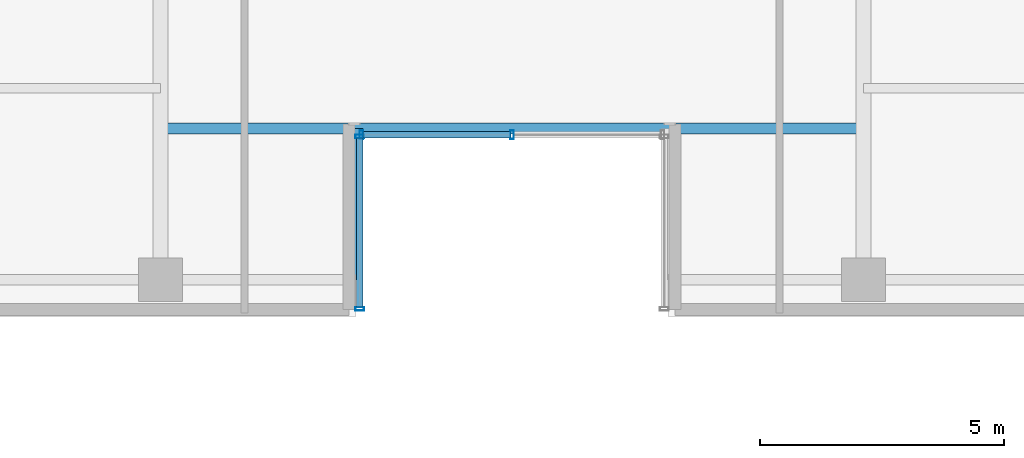
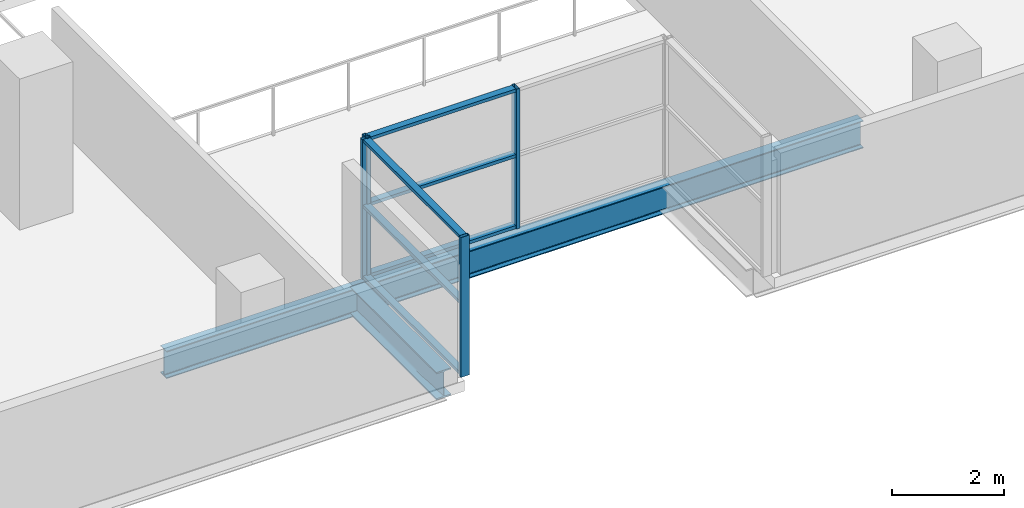
# One storey, part 3 of 31: 10 members, 2 beams, 2 elements without a shape of their own.
"""IFC4 building model written with IfcOpenShell, lengths in metres."""

from ifc_helpers import new_model, si_unit, direction, frame, origin, origin_2d, place, context, subcontext, project, spatial, hollow_rectangle, i_section, extrude, source, transform, mapped, material, layer, layer_set, material_profile, profile_set, type_object, element, aggregate, save


model = new_model("IFC4")

# Units and contexts
model_context = context("Model", 3, precision=1e-05, world=origin(), true_north=direction((0.0, 1.0)))
body_context = subcontext(model_context, "Body", "Model", "MODEL_VIEW")
ifc_project = project(units=[si_unit("LENGTHUNIT", "METRE"), si_unit("AREAUNIT", "SQUARE_METRE"), si_unit("VOLUMEUNIT", "CUBIC_METRE"), si_unit("PLANEANGLEUNIT", "RADIAN"), si_unit("MASSUNIT", "GRAM", prefix="KILO")], contexts=[model_context])

# Site, building, storey
site_placement = place(None, origin())
site = spatial("IfcSite", under=ifc_project, at=site_placement, CompositionType="ELEMENT")
building_placement = place(site_placement, origin())
building = spatial("IfcBuilding", under=site, at=building_placement, Name="Zarnakvel Exchange Tower", CompositionType="ELEMENT")
storey_placement = place(building_placement, frame((0.0, 0.0, 67.0)))
storey = spatial("IfcBuildingStorey", under=building, at=storey_placement, Name="L18", CompositionType="ELEMENT", Elevation=67.0)

# Beams
ifc_material_1 = material(Name="Steel S355", Category="steel")
ifc_material_profile_1 = material_profile(ifc_material_1, i_section(OverallWidth=0.300048828125, OverallDepth=0.60009765625, WebThickness=0.015380859375, FlangeThickness=0.030029296875, FilletRadius=0.027099609375, at=origin_2d()))
ifc_profile_set_1 = profile_set([ifc_material_profile_1], Name="Steel S355")
beam_type_1 = type_object("IfcBeamType", Name="G-04", PredefinedType="BEAM", material=ifc_profile_set_1)
beam_1_placement = place(storey_placement, frame((-3.199951171875, -17.449951171875, -0.52490234375), z_axis=(0.0, 1.0, 0.0), x_axis=(-1.0, 0.0, 0.0)))
element("IfcBeam", 1, at=beam_1_placement, inside=storey, type_object=beam_type_1, Name="L18 South Slot West Cheek Beam", PredefinedType="BEAM", context=body_context, shape_type="SweptSolid", body=[
    extrude(i_section(OverallWidth=0.300048828125, OverallDepth=0.60009765625, WebThickness=0.015380859375, FlangeThickness=0.030029296875, FilletRadius=0.027099609375, at=origin_2d()), origin(), (0.0, 0.0, 1.0), 3.099853515625),
])
ifc_material_profile_2 = material_profile(ifc_material_1, i_section(OverallWidth=0.219970703125, OverallDepth=0.60009765625, WebThickness=0.011962890625, FlangeThickness=0.01904296875, FilletRadius=0.02392578125, at=origin_2d()))
ifc_profile_set_2 = profile_set([ifc_material_profile_2], Name="Steel S355")
beam_type_2 = type_object("IfcBeamType", Name="SP-01", PredefinedType="SPANDREL", material=ifc_profile_set_2)
beam_2_placement = place(storey_placement, frame((-7.199951171875, -14.35009765625, -0.52490234375), z_axis=(1.0, 0.0, 0.0), x_axis=(0.0, 1.0, 0.0)))
element("IfcBeam", 2, at=beam_2_placement, inside=storey, type_object=beam_type_2, Name="L18 South Slot Head Trimmer Girder", PredefinedType="SPANDREL", context=body_context, shape_type="SweptSolid", body=[
    extrude(i_section(OverallWidth=0.219970703125, OverallDepth=0.60009765625, WebThickness=0.011962890625, FlangeThickness=0.01904296875, FilletRadius=0.02392578125, at=origin_2d()), origin(), (0.0, 0.0, 1.0), 14.39990234375),
])

# Curtain wall, members
ifc_material_2 = material(Name="Architectural Bronze Anodised Aluminium", Category="aluminium")
ifc_layer = layer(ifc_material_2, 0.179931640625)
ifc_layer_set = layer_set([ifc_layer], Name="Architectural Bronze Anodised Aluminium")
curtain_wall_type = type_object("IfcCurtainWallType", Name="CW-05", PredefinedType="NOTDEFINED", material=ifc_layer_set)
curtain_wall_1_placement = place(storey_placement, origin())
curtain_wall_1 = element("IfcCurtainWall", 3, at=curtain_wall_1_placement, inside=storey, type_object=curtain_wall_type, Name="L18 Curtain Wall CW-L18-SLW (CW-05)", PredefinedType="NOTDEFINED")
ifc_material_profile_3 = material_profile(ifc_material_2, hollow_rectangle(XDim=0.139892578125, YDim=0.070068359375, WallThickness=0.00390625, at=origin_2d()))
ifc_profile_set_3 = profile_set([ifc_material_profile_3], Name="Architectural Bronze Anodised Aluminium")
member_type_1 = type_object("IfcMemberType", Name="CWT-05", PredefinedType="USERDEFINED", material=ifc_profile_set_3)
shared_shape_1 = source(origin(), body_context, "Body", "SweptSolid", [
    extrude(hollow_rectangle(XDim=0.139892578125, YDim=0.070068359375, WallThickness=0.00390625, at=origin_2d()), origin(), (0.0, 0.0, 1.0), 3.4599609375),
])
member_1_placement = place(storey_placement, frame((-3.1201171875, -18.010009765625, 0.034912109375), z_axis=(0.0, 1.0, 0.0), x_axis=(-1.0, 0.0, 0.0)))
member_1 = element("IfcMember", 4, at=member_1_placement, type_object=member_type_1, Name="CW-05 transom 1.1", ObjectType="TRANSOM", PredefinedType="USERDEFINED", context=body_context, shape_type="MappedRepresentation", body=[
    mapped(shared_shape_1, transform((0.0, 0.0, 0.0), x_axis=(1.0, 0.0, 0.0), y_axis=(0.0, 1.0, 0.0), z_axis=(0.0, 0.0, 1.0), scale=1.0)),
])
member_2_placement = place(storey_placement, frame((-3.1201171875, -18.010009765625, 1.588623046875), z_axis=(0.0, 1.0, 0.0), x_axis=(-1.0, 0.0, 0.0)))
member_2 = element("IfcMember", 5, at=member_2_placement, type_object=member_type_1, Name="CW-05 transom 1.2", ObjectType="TRANSOM", PredefinedType="USERDEFINED", context=body_context, shape_type="MappedRepresentation", body=[
    mapped(shared_shape_1, transform((0.0, 0.0, 0.0), x_axis=(1.0, 0.0, 0.0), y_axis=(0.0, 1.0, 0.0), z_axis=(0.0, 0.0, 1.0), scale=1.0)),
])
member_3_placement = place(storey_placement, frame((-3.1201171875, -18.010009765625, 3.02001953125), z_axis=(0.0, 1.0, 0.0), x_axis=(-1.0, 0.0, 0.0)))
member_3 = element("IfcMember", 6, at=member_3_placement, type_object=member_type_1, Name="CW-05 transom 1.3", ObjectType="TRANSOM", PredefinedType="USERDEFINED", context=body_context, shape_type="MappedRepresentation", body=[
    mapped(shared_shape_1, transform((0.0, 0.0, 0.0), x_axis=(1.0, 0.0, 0.0), y_axis=(0.0, 1.0, 0.0), z_axis=(0.0, 0.0, 1.0), scale=1.0)),
])

curtain_wall_2_placement = place(storey_placement, origin())
curtain_wall_2 = element("IfcCurtainWall", 7, at=curtain_wall_2_placement, inside=storey, type_object=curtain_wall_type, Name="L18 Curtain Wall CW-L18-SLB (CW-05)", PredefinedType="NOTDEFINED")
shared_shape_2 = source(origin(), body_context, "Body", "SweptSolid", [
    extrude(hollow_rectangle(XDim=0.139892578125, YDim=0.070068359375, WallThickness=0.00390625, at=origin_2d()), origin(), (0.0, 0.0, 1.0), 3.01513671875),
])
member_4_placement = place(storey_placement, frame((-3.050048828125, -14.47998046875, 0.034912109375), z_axis=(1.0, 0.0, 0.0), x_axis=(0.0, 1.0, 0.0)))
member_4 = element("IfcMember", 8, at=member_4_placement, type_object=member_type_1, Name="CW-05 transom 1.1", ObjectType="TRANSOM", PredefinedType="USERDEFINED", context=body_context, shape_type="MappedRepresentation", body=[
    mapped(shared_shape_2, transform((0.0, 0.0, 0.0), x_axis=(1.0, 0.0, 0.0), y_axis=(0.0, 1.0, 0.0), z_axis=(0.0, 0.0, 1.0), scale=1.0)),
])
member_5_placement = place(storey_placement, frame((-3.050048828125, -14.47998046875, 1.588623046875), z_axis=(1.0, 0.0, 0.0), x_axis=(0.0, 1.0, 0.0)))
member_5 = element("IfcMember", 9, at=member_5_placement, type_object=member_type_1, Name="CW-05 transom 1.2", ObjectType="TRANSOM", PredefinedType="USERDEFINED", context=body_context, shape_type="MappedRepresentation", body=[
    mapped(shared_shape_2, transform((0.0, 0.0, 0.0), x_axis=(1.0, 0.0, 0.0), y_axis=(0.0, 1.0, 0.0), z_axis=(0.0, 0.0, 1.0), scale=1.0)),
])
member_6_placement = place(storey_placement, frame((-3.050048828125, -14.47998046875, 3.02001953125), z_axis=(1.0, 0.0, 0.0), x_axis=(0.0, 1.0, 0.0)))
member_6 = element("IfcMember", 10, at=member_6_placement, type_object=member_type_1, Name="CW-05 transom 1.3", ObjectType="TRANSOM", PredefinedType="USERDEFINED", context=body_context, shape_type="MappedRepresentation", body=[
    mapped(shared_shape_2, transform((0.0, 0.0, 0.0), x_axis=(1.0, 0.0, 0.0), y_axis=(0.0, 1.0, 0.0), z_axis=(0.0, 0.0, 1.0), scale=1.0)),
])

# Member
ifc_material_profile_4 = material_profile(ifc_material_2, hollow_rectangle(XDim=0.179931640625, YDim=0.070068359375, WallThickness=0.00390625, at=origin_2d()))
ifc_profile_set_4 = profile_set([ifc_material_profile_4], Name="Architectural Bronze Anodised Aluminium")
member_type_2 = type_object("IfcMemberType", Name="CWM-05", PredefinedType="MULLION", material=ifc_profile_set_4)
shared_shape_3 = source(origin(), body_context, "Body", "SweptSolid", [
    extrude(hollow_rectangle(XDim=0.179931640625, YDim=0.070068359375, WallThickness=0.00390625, at=origin_2d()), origin(), (0.0, 0.0, 1.0), 3.054931640625),
])
member_7_placement = place(storey_placement, frame((-3.1201171875, -18.044921875, 0.0), z_axis=(0.0, 0.0, 1.0), x_axis=(-1.0, 0.0, 0.0)))
member_7 = element("IfcMember", 11, at=member_7_placement, type_object=member_type_2, Name="CW-05 mullion 1", PredefinedType="MULLION", context=body_context, shape_type="MappedRepresentation", body=[
    mapped(shared_shape_3, transform((0.0, 0.0, 0.0), x_axis=(1.0, 0.0, 0.0), y_axis=(0.0, 1.0, 0.0), z_axis=(0.0, 0.0, 1.0), scale=1.0)),
])

member_8_placement = place(storey_placement, frame((-3.1201171875, -14.514892578125, 0.0), z_axis=(0.0, 0.0, 1.0), x_axis=(-1.0, 0.0, 0.0)))
member_8 = element("IfcMember", 12, at=member_8_placement, type_object=member_type_2, Name="CW-05 mullion 2", PredefinedType="MULLION", context=body_context, shape_type="MappedRepresentation", body=[
    mapped(shared_shape_3, transform((0.0, 0.0, 0.0), x_axis=(1.0, 0.0, 0.0), y_axis=(0.0, 1.0, 0.0), z_axis=(0.0, 0.0, 1.0), scale=1.0)),
])

aggregate(curtain_wall_1, [member_7, member_8, member_1, member_2, member_3])

member_9_placement = place(storey_placement, frame((-3.0849609375, -14.47998046875, 0.0), z_axis=(0.0, 0.0, 1.0), x_axis=(0.0, 1.0, 0.0)))
member_9 = element("IfcMember", 13, at=member_9_placement, type_object=member_type_2, Name="CW-05 mullion 1", PredefinedType="MULLION", context=body_context, shape_type="MappedRepresentation", body=[
    mapped(shared_shape_3, transform((0.0, 0.0, 0.0), x_axis=(1.0, 0.0, 0.0), y_axis=(0.0, 1.0, 0.0), z_axis=(0.0, 0.0, 1.0), scale=1.0)),
])

member_10_placement = place(storey_placement, frame((0.0, -14.47998046875, 0.0), z_axis=(0.0, 0.0, 1.0), x_axis=(0.0, 1.0, 0.0)))
member_10 = element("IfcMember", 14, at=member_10_placement, type_object=member_type_2, Name="CW-05 mullion 2", PredefinedType="MULLION", context=body_context, shape_type="MappedRepresentation", body=[
    mapped(shared_shape_3, transform((0.0, 0.0, 0.0), x_axis=(1.0, 0.0, 0.0), y_axis=(0.0, 1.0, 0.0), z_axis=(0.0, 0.0, 1.0), scale=1.0)),
])

aggregate(curtain_wall_2, [member_9, member_10, member_4, member_5, member_6])

save(model, "model.ifc")
